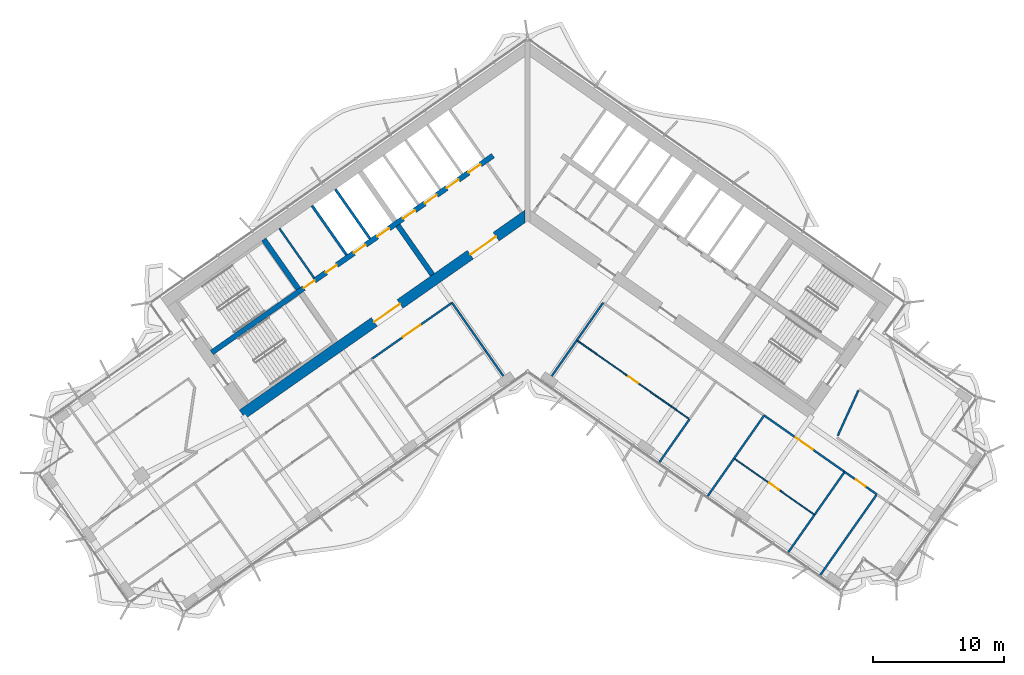
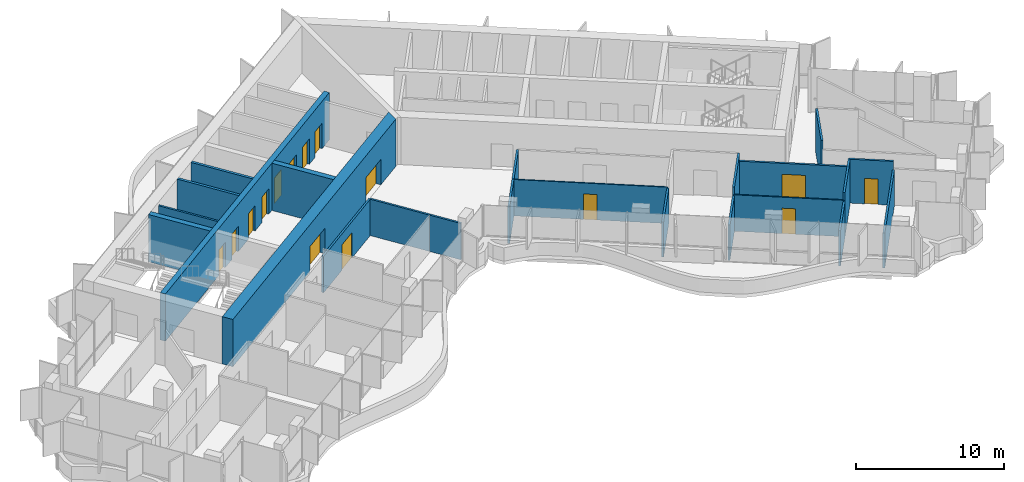
# One storey, part 15 of 23: 23 walls, 15 doors, 15 openings.
"""IFC4 building model written with IfcOpenShell, lengths in metres."""

from ifc_helpers import new_model, si_unit, direction, frame, frame_2d, origin, place, context, subcontext, project, spatial, polyline, rectangle, outline, extrude, material, layer, layer_set, type_object, element, fill, save


model = new_model("IFC4")

# Units and contexts
model_context = context("Model", 3, precision=1e-05, world=origin(), true_north=direction((0.0, 1.0)))
body_context = subcontext(model_context, "Body", "Model", "MODEL_VIEW")
ifc_project = project(units=[si_unit("LENGTHUNIT", "METRE"), si_unit("AREAUNIT", "SQUARE_METRE"), si_unit("VOLUMEUNIT", "CUBIC_METRE"), si_unit("PLANEANGLEUNIT", "RADIAN"), si_unit("MASSUNIT", "GRAM", prefix="KILO")], contexts=[model_context])

# Site, building, storey
site_placement = place(None, origin())
site = spatial("IfcSite", under=ifc_project, at=site_placement, CompositionType="ELEMENT")
building_placement = place(site_placement, origin())
building = spatial("IfcBuilding", under=site, at=building_placement, Name="Tel Ilan Convention Tower", CompositionType="ELEMENT")
storey_placement = place(building_placement, frame((0.0, 0.0, 194.39990234375)))
storey = spatial("IfcBuildingStorey", under=building, at=storey_placement, Name="L45", CompositionType="ELEMENT", Elevation=194.39990234375)

# Walls
ifc_material_1 = material(Name="Gypsum Plasterboard on Steel Stud", Category="steel")
ifc_layer_1 = layer(ifc_material_1, 0.14990234375)
ifc_layer_set_1 = layer_set([ifc_layer_1], Name="Core Room Partition Wall 150 mm EI 60")
wall_type_1 = type_object("IfcWallType", Name="Core Room Partition Wall 150 mm EI 60", PredefinedType="PARTITIONING", material=ifc_layer_set_1)
wall_1_placement = place(storey_placement, frame((-16.302001953125, -5.554931640625, 0.0), z_axis=(0.0, 0.0, 1.0), x_axis=(-0.573576324356, 0.819152122709, 0.0)))
element("IfcWall", 1, at=wall_1_placement, inside=storey, type_object=wall_type_1, Name="L45 core wall bank-W2-split", PredefinedType="PARTITIONING", context=body_context, shape_type="SweptSolid", body=[
    extrude(rectangle(XDim=4.599853515625, YDim=0.14990234375, at=frame_2d((2.2998046875, 0.0))), origin(), (0.0, 0.0, 1.0), 3.6201171875),
])
ifc_material_2 = material(Name="Concrete C50/60", Category="concrete")
ifc_layer_2 = layer(ifc_material_2, 0.39990234375)
ifc_layer_set_2 = layer_set([ifc_layer_2], Name="Core Shear Wall 400 mm C50/60")
wall_type_2 = type_object("IfcWallType", Name="Core Shear Wall 400 mm C50/60", PredefinedType="SHEAR", material=ifc_layer_set_2)
wall_2_placement = place(storey_placement, frame((-7.2578125, -5.325927734375, 0.0), z_axis=(0.0, 0.0, 1.0), x_axis=(-0.573540709186, 0.819177059558, 0.0)))
element("IfcWall", 2, at=wall_2_placement, inside=storey, type_object=wall_type_2, Name="L45 core wall W-cross1-1", PredefinedType="SHEAR", context=body_context, shape_type="SweptSolid", body=[
    extrude(outline(polyline([(4.599853515625, 0.2001953125), (-0.000244140625, 0.199951171875), (-0.000244140625, -0.2001953125), (4.599853515625, -0.199951171875), (4.599853515625, 0.2001953125)])), origin(), (0.0, 0.0, 1.0), 3.900146484375),
])
wall_3_placement = place(storey_placement, frame((-17.497802734375, -6.392333984375, 0.0), z_axis=(0.0, 0.0, 1.0), x_axis=(-0.573611936273, 0.819127185829, 0.0)))
element("IfcWall", 3, at=wall_3_placement, inside=storey, type_object=wall_type_2, Name="L45 core wall W-cross2-2", PredefinedType="SHEAR", context=body_context, shape_type="SweptSolid", body=[
    extrude(outline(polyline([(4.599853515625, -0.2001953125), (4.599853515625, 0.199951171875), (0.0, 0.2001953125), (0.0, -0.199951171875), (4.599853515625, -0.2001953125)])), origin(), (0.0, 0.0, 1.0), 3.900146484375),
])

# Wall, openings, doors
wall_4_placement = place(storey_placement, frame((-2.638427734375, 3.76806640625, 0.0), z_axis=(0.0, 0.0, 1.0), x_axis=(-0.81915267502, -0.573575535572, 0.0)))
wall_4 = element("IfcWall", 4, at=wall_4_placement, inside=storey, type_object=wall_type_2, Name="L45 core wall W-spine", PredefinedType="SHEAR", context=body_context, shape_type="SweptSolid", body=[
    extrude(outline(polyline([(26.199951171875, 0.199951171875), (0.0, 0.199951171875), (0.0, -0.199951171875), (26.199951171875, -0.199951171875), (26.199951171875, 0.199951171875)])), origin(), (0.0, 0.0, 1.0), 3.900146484375),
])
opening_1_placement = place(wall_4_placement, frame((1.168701171875, 0.0, 0.0)))
opening_1 = element("IfcOpeningElement", 5, at=opening_1_placement, cuts=wall_4, Name="Opening LD3504", PredefinedType="OPENING", context=body_context, shape_type="SweptSolid", body=[
    extrude(rectangle(XDim=1.10009765625, YDim=2.10009765625, at=frame_2d((0.550048828125, 1.050048828125))), frame((0.0, 0.2099609375, 0.0), z_axis=(0.0, -1.0, 0.0), x_axis=(1.0, 0.0, 0.0)), (0.0, 0.0, 1.0), 0.419921875),
])
opening_2_placement = place(wall_4_placement, frame((3.206298828125, 0.0, 0.0)))
opening_2 = element("IfcOpeningElement", 6, at=opening_2_placement, cuts=wall_4, Name="Opening LD3505", PredefinedType="OPENING", context=body_context, shape_type="SweptSolid", body=[
    extrude(rectangle(XDim=1.10009765625, YDim=2.10009765625, at=frame_2d((0.550048828125, 1.050048828125))), frame((0.0, 0.2099609375, 0.0), z_axis=(0.0, -1.0, 0.0), x_axis=(1.0, 0.0, 0.0)), (0.0, 0.0, 1.0), 0.419921875),
])
opening_3_placement = place(wall_4_placement, frame((5.24365234375, 0.0, 0.0)))
opening_3 = element("IfcOpeningElement", 7, at=opening_3_placement, cuts=wall_4, Name="Opening LD3506", PredefinedType="OPENING", context=body_context, shape_type="SweptSolid", body=[
    extrude(rectangle(XDim=1.10009765625, YDim=2.10009765625, at=frame_2d((0.550048828125, 1.050048828125))), frame((0.0, 0.2099609375, 0.0), z_axis=(0.0, -1.0, 0.0), x_axis=(1.0, 0.0, 0.0)), (0.0, 0.0, 1.0), 0.419921875),
])
opening_4_placement = place(wall_4_placement, frame((7.28125, 0.0, 0.0)))
opening_4 = element("IfcOpeningElement", 8, at=opening_4_placement, cuts=wall_4, Name="Opening LD3507", PredefinedType="OPENING", context=body_context, shape_type="SweptSolid", body=[
    extrude(rectangle(XDim=1.10009765625, YDim=2.10009765625, at=frame_2d((0.550048828125, 1.050048828125))), frame((0.0, 0.2099609375, 0.0), z_axis=(0.0, -1.0, 0.0), x_axis=(1.0, 0.0, 0.0)), (0.0, 0.0, 1.0), 0.419921875),
])
opening_5_placement = place(wall_4_placement, frame((9.6875, 0.0, 0.0)))
opening_5 = element("IfcOpeningElement", 9, at=opening_5_placement, cuts=wall_4, Name="Opening LD3508", PredefinedType="OPENING", context=body_context, shape_type="SweptSolid", body=[
    extrude(rectangle(XDim=1.10009765625, YDim=2.10009765625, at=frame_2d((0.550048828125, 1.050048828125))), frame((0.0, 0.2099609375, 0.0), z_axis=(0.0, -1.0, 0.0), x_axis=(1.0, 0.0, 0.0)), (0.0, 0.0, 1.0), 0.419921875),
])
opening_6_placement = place(wall_4_placement, frame((11.862548828125, 0.0, 0.0)))
opening_6 = element("IfcOpeningElement", 10, at=opening_6_placement, cuts=wall_4, Name="Opening LD3509", PredefinedType="OPENING", context=body_context, shape_type="SweptSolid", body=[
    extrude(rectangle(XDim=1.10009765625, YDim=2.10009765625, at=frame_2d((0.550048828125, 1.050048828125))), frame((0.0, 0.2099609375, 0.0), z_axis=(0.0, -1.0, 0.0), x_axis=(1.0, 0.0, 0.0)), (0.0, 0.0, 1.0), 0.419921875),
])
opening_7_placement = place(wall_4_placement, frame((14.552490234375, 0.0, 0.0)))
opening_7 = element("IfcOpeningElement", 11, at=opening_7_placement, cuts=wall_4, Name="Opening CD3508", PredefinedType="OPENING", context=body_context, shape_type="SweptSolid", body=[
    extrude(rectangle(XDim=1.0, YDim=2.10009765625, at=frame_2d((0.5, 1.050048828125))), frame((0.0, 0.2099609375, 0.0), z_axis=(0.0, -1.0, 0.0), x_axis=(1.0, 0.0, 0.0)), (0.0, 0.0, 1.0), 0.419921875),
])
opening_8_placement = place(wall_4_placement, frame((16.62744140625, 0.0, 0.0)))
opening_8 = element("IfcOpeningElement", 12, at=opening_8_placement, cuts=wall_4, Name="Opening CD3509", PredefinedType="OPENING", context=body_context, shape_type="SweptSolid", body=[
    extrude(rectangle(XDim=1.0, YDim=2.10009765625, at=frame_2d((0.5, 1.050048828125))), frame((0.0, 0.2099609375, 0.0), z_axis=(0.0, -1.0, 0.0), x_axis=(1.0, 0.0, 0.0)), (0.0, 0.0, 1.0), 0.419921875),
])
ifc_material_3 = material(Name="Stainless Steel Sliding Door Leaf", Category="steel")
door_type_1 = type_object("IfcDoorType", Name="Lift Landing Door 1100 x 2100 FD120", OperationType="NOTDEFINED", PredefinedType="DOOR", material=ifc_material_3)
door_1_placement = place(opening_1_placement, origin())
door_1 = element("IfcDoor", 13, at=door_1_placement, inside=storey, type_object=door_type_1, Name="Lift LR1 landing door", OperationType="SLIDING_TO_LEFT", OverallHeight=2.10009765625, OverallWidth=1.10009765625, PredefinedType="DOOR", context=body_context, shape_type="SweptSolid", body=[
    extrude(rectangle(XDim=1.10009765625, YDim=2.10009765625, at=frame_2d((0.550048828125, 1.050048828125))), frame((0.0, 0.02490234375, 0.0), z_axis=(0.0, -1.0, 0.0), x_axis=(1.0, 0.0, 0.0)), (0.0, 0.0, 1.0), 0.050048828125),
])
fill(opening_1, door_1)
door_2_placement = place(opening_2_placement, origin())
door_2 = element("IfcDoor", 14, at=door_2_placement, inside=storey, type_object=door_type_1, Name="Lift LR2 landing door", OperationType="SLIDING_TO_RIGHT", OverallHeight=2.10009765625, OverallWidth=1.10009765625, PredefinedType="DOOR", context=body_context, shape_type="SweptSolid", body=[
    extrude(rectangle(XDim=1.10009765625, YDim=2.10009765625, at=frame_2d((0.550048828125, 1.050048828125))), frame((0.0, 0.02490234375, 0.0), z_axis=(0.0, -1.0, 0.0), x_axis=(1.0, 0.0, 0.0)), (0.0, 0.0, 1.0), 0.050048828125),
])
fill(opening_2, door_2)
door_3_placement = place(opening_3_placement, origin())
door_3 = element("IfcDoor", 15, at=door_3_placement, inside=storey, type_object=door_type_1, Name="Lift LR3 landing door", OperationType="SLIDING_TO_LEFT", OverallHeight=2.10009765625, OverallWidth=1.10009765625, PredefinedType="DOOR", context=body_context, shape_type="SweptSolid", body=[
    extrude(rectangle(XDim=1.10009765625, YDim=2.10009765625, at=frame_2d((0.550048828125, 1.050048828125))), frame((0.0, 0.02490234375, 0.0), z_axis=(0.0, -1.0, 0.0), x_axis=(1.0, 0.0, 0.0)), (0.0, 0.0, 1.0), 0.050048828125),
])
fill(opening_3, door_3)
door_4_placement = place(opening_4_placement, origin())
door_4 = element("IfcDoor", 16, at=door_4_placement, inside=storey, type_object=door_type_1, Name="Lift LR4 landing door", OperationType="SLIDING_TO_RIGHT", OverallHeight=2.10009765625, OverallWidth=1.10009765625, PredefinedType="DOOR", context=body_context, shape_type="SweptSolid", body=[
    extrude(rectangle(XDim=1.10009765625, YDim=2.10009765625, at=frame_2d((0.550048828125, 1.050048828125))), frame((0.0, 0.02490234375, 0.0), z_axis=(0.0, -1.0, 0.0), x_axis=(1.0, 0.0, 0.0)), (0.0, 0.0, 1.0), 0.050048828125),
])
fill(opening_4, door_4)
door_5_placement = place(opening_5_placement, origin())
door_5 = element("IfcDoor", 17, at=door_5_placement, inside=storey, type_object=door_type_1, Name="Lift LR5 landing door", OperationType="SLIDING_TO_LEFT", OverallHeight=2.10009765625, OverallWidth=1.10009765625, PredefinedType="DOOR", context=body_context, shape_type="SweptSolid", body=[
    extrude(rectangle(XDim=1.10009765625, YDim=2.10009765625, at=frame_2d((0.550048828125, 1.050048828125))), frame((0.0, 0.02490234375, 0.0), z_axis=(0.0, -1.0, 0.0), x_axis=(1.0, 0.0, 0.0)), (0.0, 0.0, 1.0), 0.050048828125),
])
fill(opening_5, door_5)
door_6_placement = place(opening_6_placement, origin())
door_6 = element("IfcDoor", 18, at=door_6_placement, inside=storey, type_object=door_type_1, Name="Lift LR6 landing door", OperationType="SLIDING_TO_RIGHT", OverallHeight=2.10009765625, OverallWidth=1.10009765625, PredefinedType="DOOR", context=body_context, shape_type="SweptSolid", body=[
    extrude(rectangle(XDim=1.10009765625, YDim=2.10009765625, at=frame_2d((0.550048828125, 1.050048828125))), frame((0.0, 0.02490234375, 0.0), z_axis=(0.0, -1.0, 0.0), x_axis=(1.0, 0.0, 0.0)), (0.0, 0.0, 1.0), 0.050048828125),
])
fill(opening_6, door_6)
ifc_material_4 = material(Name="Galvanised Steel Door Leaf", Category="steel")
door_type_2 = type_object("IfcDoorType", Name="Service Room Door 1000 x 2100 FD60", OperationType="NOTDEFINED", PredefinedType="DOOR", material=ifc_material_4)
door_7_placement = place(opening_7_placement, origin())
door_7 = element("IfcDoor", 19, at=door_7_placement, inside=storey, type_object=door_type_2, Name="Plant Room door", OperationType="SINGLE_SWING_RIGHT", OverallHeight=2.10009765625, OverallWidth=1.0, PredefinedType="DOOR", context=body_context, shape_type="SweptSolid", body=[
    extrude(rectangle(XDim=1.0, YDim=2.10009765625, at=frame_2d((0.5, 1.050048828125))), frame((0.0, 0.02490234375, 0.0), z_axis=(0.0, -1.0, 0.0), x_axis=(1.0, 0.0, 0.0)), (0.0, 0.0, 1.0), 0.050048828125),
])
fill(opening_7, door_7)
door_8_placement = place(opening_8_placement, origin())
door_8 = element("IfcDoor", 20, at=door_8_placement, inside=storey, type_object=door_type_2, Name="Plant Room door", OperationType="SINGLE_SWING_RIGHT", OverallHeight=2.10009765625, OverallWidth=1.0, PredefinedType="DOOR", context=body_context, shape_type="SweptSolid", body=[
    extrude(rectangle(XDim=1.0, YDim=2.10009765625, at=frame_2d((0.5, 1.050048828125))), frame((0.0, 0.02490234375, 0.0), z_axis=(0.0, -1.0, 0.0), x_axis=(1.0, 0.0, 0.0)), (0.0, 0.0, 1.0), 0.050048828125),
])
fill(opening_8, door_8)

ifc_material_5 = material(Name="Concrete C50/60", Category="concrete")
ifc_layer_3 = layer(ifc_material_5, 0.800048828125)
ifc_layer_set_3 = layer_set([ifc_layer_3], Name="Core Shear Wall 800 mm C50/60")
wall_type_3 = type_object("IfcWallType", Name="Core Shear Wall 800 mm C50/60", PredefinedType="SHEAR", material=ifc_layer_set_3)
wall_5_placement = place(storey_placement, frame((0.029296875, -0.7119140625, 0.0), z_axis=(0.0, 0.0, 1.0), x_axis=(-0.819151758019, -0.573576845187, 0.0)))
wall_5 = element("IfcWall", 21, at=wall_5_placement, inside=storey, type_object=wall_type_3, Name="L45 core wall W-front", PredefinedType="SHEAR", context=body_context, shape_type="SweptSolid", body=[
    extrude(outline(polyline([(26.61572265625, 0.39990234375), (0.56005859375, 0.39990234375), (-0.000244140625, -0.39990234375), (26.61572265625, -0.39990234375), (26.61572265625, 0.39990234375)])), origin(), (0.0, 0.0, 1.0), 3.900146484375),
])
opening_9_placement = place(wall_5_placement, frame((2.9658203125, 0.0, 0.0)))
opening_9 = element("IfcOpeningElement", 22, at=opening_9_placement, cuts=wall_5, Name="Opening CD3505", PredefinedType="OPENING", context=body_context, shape_type="SweptSolid", body=[
    extrude(rectangle(XDim=2.39990234375, YDim=2.10009765625, at=frame_2d((1.199951171875, 1.050048828125))), frame((0.0, 0.409912109375, 0.0), z_axis=(0.0, -1.0, 0.0), x_axis=(1.0, 0.0, 0.0)), (0.0, 0.0, 1.0), 0.820068359375),
])
opening_10_placement = place(wall_5_placement, frame((11.915771484375, 0.0, 0.0)))
opening_10 = element("IfcOpeningElement", 23, at=opening_10_placement, cuts=wall_5, Name="Opening CD3506", PredefinedType="OPENING", context=body_context, shape_type="SweptSolid", body=[
    extrude(rectangle(XDim=2.39990234375, YDim=2.10009765625, at=frame_2d((1.199951171875, 1.050048828125))), frame((0.0, 0.409912109375, 0.0), z_axis=(0.0, -1.0, 0.0), x_axis=(1.0, 0.0, 0.0)), (0.0, 0.0, 1.0), 0.820068359375),
])
ifc_material_6 = material(Name="Glazed Aluminium Door Leaf", Category="aluminium")
door_type_3 = type_object("IfcDoorType", Name="Lobby Opening Door 2400 x 2100 FD60S", OperationType="NOTDEFINED", PredefinedType="DOOR", material=ifc_material_6)
door_9_placement = place(opening_9_placement, origin())
door_9 = element("IfcDoor", 24, at=door_9_placement, inside=storey, type_object=door_type_3, Name="Lift Lobby LR1-LR4 opening", OperationType="DOUBLE_DOOR_SINGLE_SWING", OverallHeight=2.10009765625, OverallWidth=2.39990234375, PredefinedType="DOOR", context=body_context, shape_type="SweptSolid", body=[
    extrude(rectangle(XDim=2.39990234375, YDim=2.10009765625, at=frame_2d((1.199951171875, 1.050048828125))), frame((0.0, 0.02490234375, 0.0), z_axis=(0.0, -1.0, 0.0), x_axis=(1.0, 0.0, 0.0)), (0.0, 0.0, 1.0), 0.050048828125),
])
fill(opening_9, door_9)
door_10_placement = place(opening_10_placement, origin())
door_10 = element("IfcDoor", 25, at=door_10_placement, inside=storey, type_object=door_type_3, Name="Lift Lobby LR5-LR6 opening", OperationType="DOUBLE_DOOR_SINGLE_SWING", OverallHeight=2.10009765625, OverallWidth=2.39990234375, PredefinedType="DOOR", context=body_context, shape_type="SweptSolid", body=[
    extrude(rectangle(XDim=2.39990234375, YDim=2.10009765625, at=frame_2d((1.199951171875, 1.050048828125))), frame((0.0, 0.02490234375, 0.0), z_axis=(0.0, -1.0, 0.0), x_axis=(1.0, 0.0, 0.0)), (0.0, 0.0, 1.0), 0.050048828125),
])
fill(opening_10, door_10)

# Wall, opening, door
ifc_material_7 = material(Name="Plasterboard on Steel Studs", Category="steel")
ifc_layer_4 = layer(ifc_material_7, 0.14990234375)
ifc_layer_set_4 = layer_set([ifc_layer_4], Name="Fire-rated Partition 150 EI 60")
wall_type_4 = type_object("IfcWallType", Name="Fire-rated Partition 150 EI 60", PredefinedType="PARTITIONING", material=ifc_layer_set_4)
wall_6_placement = place(storey_placement, frame((24.198974609375, -20.3623046875, 0.0), z_axis=(0.0, 0.0, 1.0), x_axis=(-0.819164661457, 0.573558416746, 0.0)))
wall_6 = element("IfcWall", 26, at=wall_6_placement, inside=storey, type_object=wall_type_4, Name="Partition 004", PredefinedType="PARTITIONING", context=body_context, shape_type="SweptSolid", body=[
    extrude(rectangle(XDim=7.50390625, YDim=0.14990234375, at=frame_2d((3.751953125, 0.0))), origin(), (0.0, 0.0, 1.0), 3.0),
])
opening_11_placement = place(wall_6_placement, frame((2.951904296875, 0.0, 0.0)))
opening_11 = element("IfcOpeningElement", 27, at=opening_11_placement, cuts=wall_6, Name="Opening L45-016", PredefinedType="OPENING", context=body_context, shape_type="SweptSolid", body=[
    extrude(rectangle(XDim=1.60009765625, YDim=2.10009765625, at=frame_2d((0.800048828125, 1.050048828125))), frame((0.0, 0.0849609375, 0.0), z_axis=(0.0, -1.0, 0.0), x_axis=(1.0, 0.0, 0.0)), (0.0, 0.0, 1.0), 0.169921875),
])
ifc_material_8 = material(Name="Timber Door Leaf in Steel Frame", Category="steel")
door_type_4 = type_object("IfcDoorType", Name="Tenant Suite Entrance Fire Door 1600x2100", OperationType="NOTDEFINED", PredefinedType="DOOR", material=ifc_material_8)
door_11_placement = place(opening_11_placement, origin())
door_11 = element("IfcDoor", 28, at=door_11_placement, inside=storey, type_object=door_type_4, Name="Door L45-016", OperationType="DOUBLE_DOOR_SINGLE_SWING", OverallHeight=2.10009765625, OverallWidth=1.60009765625, PredefinedType="DOOR", context=body_context, shape_type="SweptSolid", body=[
    extrude(rectangle(XDim=1.60009765625, YDim=2.10009765625, at=frame_2d((0.800048828125, 1.050048828125))), frame((0.0, 0.02490234375, 0.0), z_axis=(0.0, -1.0, 0.0), x_axis=(1.0, 0.0, 0.0)), (0.0, 0.0, 1.0), 0.050048828125),
])
fill(opening_11, door_11)

wall_7_placement = place(storey_placement, frame((26.656494140625, -22.083251953125, 0.0), z_axis=(0.0, 0.0, 1.0), x_axis=(-0.819155556475, 0.573571420397, 0.0)))
wall_7 = element("IfcWall", 29, at=wall_7_placement, inside=storey, type_object=wall_type_4, Name="Partition 005", PredefinedType="PARTITIONING", context=body_context, shape_type="SweptSolid", body=[
    extrude(rectangle(XDim=3.004150390625, YDim=0.14990234375, at=frame_2d((1.501953125, 0.0))), origin(), (0.0, 0.0, 1.0), 3.6201171875),
])
opening_12_placement = place(wall_7_placement, frame((1.052001953125, 0.0, 0.0)))
opening_12 = element("IfcOpeningElement", 30, at=opening_12_placement, cuts=wall_7, Name="Opening L45-018", PredefinedType="OPENING", context=body_context, shape_type="SweptSolid", body=[
    extrude(rectangle(XDim=0.89990234375, YDim=2.10009765625, at=frame_2d((0.449951171875, 1.050048828125))), frame((0.0, 0.0849609375, 0.0), z_axis=(0.0, -1.0, 0.0), x_axis=(1.0, 0.0, 0.0)), (0.0, 0.0, 1.0), 0.169921875),
])
ifc_material_9 = material(Name="Timber Door Leaf in Steel Frame", Category="steel")
door_type_5 = type_object("IfcDoorType", Name="Room Fire Door 900x2100", OperationType="NOTDEFINED", PredefinedType="DOOR", material=ifc_material_9)
door_12_placement = place(opening_12_placement, origin())
door_12 = element("IfcDoor", 31, at=door_12_placement, inside=storey, type_object=door_type_5, Name="Door L45-018", OperationType="SINGLE_SWING_LEFT", OverallHeight=2.10009765625, OverallWidth=0.89990234375, PredefinedType="DOOR", context=body_context, shape_type="SweptSolid", body=[
    extrude(rectangle(XDim=0.89990234375, YDim=2.10009765625, at=frame_2d((0.449951171875, 1.050048828125))), frame((0.0, 0.02490234375, 0.0), z_axis=(0.0, -1.0, 0.0), x_axis=(1.0, 0.0, 0.0)), (0.0, 0.0, 1.0), 0.050048828125),
])
fill(opening_12, door_12)

wall_8_placement = place(storey_placement, frame((-5.766357421875, -7.455810546875, 0.0), z_axis=(0.0, 0.0, 1.0), x_axis=(-0.819150881364, -0.573578097177, 0.0)))
wall_8 = element("IfcWall", 32, at=wall_8_placement, inside=storey, type_object=wall_type_4, Name="Partition 009", PredefinedType="PARTITIONING", context=body_context, shape_type="SweptSolid", body=[
    extrude(rectangle(XDim=7.501953125, YDim=0.14990234375, at=frame_2d((3.7509765625, 0.0))), origin(), (0.0, 0.0, 1.0), 3.0),
])
opening_13_placement = place(wall_8_placement, frame((2.950927734375, 0.0, 0.0)))
opening_13 = element("IfcOpeningElement", 33, at=opening_13_placement, cuts=wall_8, Name="Opening L45-001", PredefinedType="OPENING", context=body_context, shape_type="SweptSolid", body=[
    extrude(rectangle(XDim=1.60009765625, YDim=2.10009765625, at=frame_2d((0.800048828125, 1.050048828125))), frame((0.0, 0.0849609375, 0.0), z_axis=(0.0, -1.0, 0.0), x_axis=(1.0, 0.0, 0.0)), (0.0, 0.0, 1.0), 0.169921875),
])
door_13_placement = place(opening_13_placement, origin())
door_13 = element("IfcDoor", 34, at=door_13_placement, inside=storey, type_object=door_type_4, Name="Door L45-001", OperationType="DOUBLE_DOOR_SINGLE_SWING", OverallHeight=2.10009765625, OverallWidth=1.60009765625, PredefinedType="DOOR", context=body_context, shape_type="SweptSolid", body=[
    extrude(rectangle(XDim=1.60009765625, YDim=2.10009765625, at=frame_2d((0.800048828125, 1.050048828125))), frame((0.0, 0.02490234375, 0.0), z_axis=(0.0, -1.0, 0.0), x_axis=(1.0, 0.0, 0.0)), (0.0, 0.0, 1.0), 0.050048828125),
])
fill(opening_13, door_13)

# Walls
wall_9_placement = place(storey_placement, frame((23.6748046875, -17.6005859375, 0.0), z_axis=(0.0, 0.0, 1.0), x_axis=(0.414941649999, 0.909848024176, 0.0)))
element("IfcWall", 35, at=wall_9_placement, inside=storey, type_object=wall_type_4, Name="Partition 019", PredefinedType="PARTITIONING", context=body_context, shape_type="SweptSolid", body=[
    extrude(rectangle(XDim=3.794921875, YDim=0.14990234375, at=frame_2d((1.8974609375, 0.0))), origin(), (0.0, 0.0, 1.0), 3.6201171875),
])
wall_10_placement = place(storey_placement, frame((12.359375, -16.34619140625, 0.0), z_axis=(0.0, 0.0, 1.0), x_axis=(-0.573560675104, -0.819163080207, 0.0)))
element("IfcWall", 36, at=wall_10_placement, inside=storey, type_object=wall_type_4, Name="Partition 021", PredefinedType="PARTITIONING", context=body_context, shape_type="SweptSolid", body=[
    extrude(rectangle(XDim=3.9990234375, YDim=0.14990234375, at=frame_2d((1.99951171875, 0.0))), origin(), (0.0, 0.0, 1.0), 2.900146484375),
])
wall_11_placement = place(storey_placement, frame((1.848876953125, -13.050537109375, 0.0), z_axis=(0.0, 0.0, 1.0), x_axis=(0.573595235521, 0.819138880647, 0.0)))
element("IfcWall", 37, at=wall_11_placement, inside=storey, type_object=wall_type_4, Name="Partition 022", PredefinedType="PARTITIONING", context=body_context, shape_type="SweptSolid", body=[
    extrude(rectangle(XDim=3.328857421875, YDim=0.14990234375, at=frame_2d((1.66455078125, 0.0))), origin(), (0.0, 0.0, 1.0), 3.0),
])
wall_12_placement = place(storey_placement, frame((3.7587890625, -10.32275390625, 0.0), z_axis=(0.0, 0.0, 1.0), x_axis=(0.573598101901, 0.81913687348, 0.0)))
element("IfcWall", 38, at=wall_12_placement, inside=storey, type_object=wall_type_4, Name="Partition 024", PredefinedType="PARTITIONING", context=body_context, shape_type="SweptSolid", body=[
    extrude(rectangle(XDim=3.5, YDim=0.14990234375, at=frame_2d((1.75, 0.0))), origin(), (0.0, 0.0, 1.0), 3.0),
])
wall_13_placement = place(storey_placement, frame((15.760009765625, -19.335205078125, 0.0), z_axis=(0.0, 0.0, 1.0), x_axis=(-0.573607413343, -0.819130353093, 0.0)))
element("IfcWall", 39, at=wall_13_placement, inside=storey, type_object=wall_type_4, Name="Partition 025", PredefinedType="PARTITIONING", context=body_context, shape_type="SweptSolid", body=[
    extrude(rectangle(XDim=3.501220703125, YDim=0.14990234375, at=frame_2d((1.75048828125, 0.0))), origin(), (0.0, 0.0, 1.0), 2.900146484375),
])
wall_14_placement = place(storey_placement, frame((18.0537109375, -16.0595703125, 0.0), z_axis=(0.0, 0.0, 1.0), x_axis=(-0.573589265117, -0.819143061341, 0.0)))
element("IfcWall", 40, at=wall_14_placement, inside=storey, type_object=wall_type_4, Name="Partition 026", PredefinedType="PARTITIONING", context=body_context, shape_type="SweptSolid", body=[
    extrude(rectangle(XDim=4.001953125, YDim=0.14990234375, at=frame_2d((2.0009765625, 0.0))), origin(), (0.0, 0.0, 1.0), 3.6201171875),
])
wall_15_placement = place(storey_placement, frame((21.90234375, -23.638671875, 0.0), z_axis=(0.0, 0.0, 1.0), x_axis=(-0.573555999232, -0.819166354134, 0.0)))
element("IfcWall", 41, at=wall_15_placement, inside=storey, type_object=wall_type_4, Name="Partition 028", PredefinedType="PARTITIONING", context=body_context, shape_type="SweptSolid", body=[
    extrude(rectangle(XDim=3.4990234375, YDim=0.14990234375, at=frame_2d((1.74951171875, 0.0))), origin(), (0.0, 0.0, 1.0), 2.900146484375),
])
wall_16_placement = place(storey_placement, frame((24.197265625, -20.361328125, 0.0), z_axis=(0.0, 0.0, 1.0), x_axis=(-0.573556557423, -0.819165963305, 0.0)))
element("IfcWall", 42, at=wall_16_placement, inside=storey, type_object=wall_type_4, Name="Partition 029", PredefinedType="PARTITIONING", context=body_context, shape_type="SweptSolid", body=[
    extrude(rectangle(XDim=4.0, YDim=0.14990234375, at=frame_2d((2.0, 0.0))), origin(), (0.0, 0.0, 1.0), 3.6201171875),
])
wall_17_placement = place(storey_placement, frame((26.65478515625, -22.08203125, 0.0), z_axis=(0.0, 0.0, 1.0), x_axis=(-0.573597787563, -0.819137093595, 0.0)))
element("IfcWall", 43, at=wall_17_placement, inside=storey, type_object=wall_type_4, Name="Partition 030", PredefinedType="PARTITIONING", context=body_context, shape_type="SweptSolid", body=[
    extrude(rectangle(XDim=7.5, YDim=0.14990234375, at=frame_2d((3.75, 0.0))), origin(), (0.0, 0.0, 1.0), 2.900146484375),
])
wall_18_placement = place(storey_placement, frame((-1.848876953125, -13.050537109375, 0.0), z_axis=(0.0, 0.0, 1.0), x_axis=(-0.573553724287, 0.819167946978, 0.0)))
element("IfcWall", 44, at=wall_18_placement, inside=storey, type_object=wall_type_4, Name="Partition 032", PredefinedType="PARTITIONING", context=body_context, shape_type="SweptSolid", body=[
    extrude(rectangle(XDim=2.330810546875, YDim=0.14990234375, at=frame_2d((1.16552734375, 0.0))), origin(), (0.0, 0.0, 1.0), 3.0),
])
wall_19_placement = place(storey_placement, frame((-3.18408203125, -11.1435546875, 0.0), z_axis=(0.0, 0.0, 1.0), x_axis=(-0.573593301221, 0.819140235121, 0.0)))
element("IfcWall", 45, at=wall_19_placement, inside=storey, type_object=wall_type_4, Name="Partition 033", PredefinedType="PARTITIONING", context=body_context, shape_type="SweptSolid", body=[
    extrude(rectangle(XDim=4.504150390625, YDim=0.14990234375, at=frame_2d((2.251953125, 0.0))), origin(), (0.0, 0.0, 1.0), 3.0),
])
ifc_material_10 = material(Name="Concrete C30/37", Category="concrete")
ifc_layer_5 = layer(ifc_material_10, 0.199951171875)
ifc_layer_set_5 = layer_set([ifc_layer_5], Name="Lift Shaft Wall 200 mm C30/37")
wall_type_5 = type_object("IfcWallType", Name="Lift Shaft Wall 200 mm C30/37", PredefinedType="SOLIDWALL", material=ifc_layer_set_5)
for number, where, z_axis, x_axis, name in (
    (46, (-12.030029296875, -2.563720703125, 0.0), (0.0, 0.0, 1.0), (-0.573576324356, 0.819152122709, 0.0), "L45 core wall bank-W2-p0"),
    (47, (-13.811767578125, -3.811279296875, 0.0), (0.0, 0.0, 1.0), (-0.573576324356, 0.819152122709, 0.0), "L45 core wall bank-W2-p1"),
):
    element("IfcWall", number, at=place(storey_placement, frame(where, z_axis=z_axis, x_axis=x_axis)), inside=storey, type_object=wall_type_5, Name=name, PredefinedType="SOLIDWALL", context=body_context, shape_type="SweptSolid", body=[
        extrude(rectangle(XDim=4.599853515625, YDim=0.199951171875, at=frame_2d((2.2998046875, 0.0))), origin(), (0.0, 0.0, 1.0), 3.900146484375),
    ])

# Wall, opening, door
ifc_material_11 = material(Name="Plasterboard on Steel Studs", Category="steel")
ifc_layer_6 = layer(ifc_material_11, 0.10009765625)
ifc_layer_set_6 = layer_set([ifc_layer_6], Name="Plasterboard Partition 100")
wall_type_6 = type_object("IfcWallType", Name="Plasterboard Partition 100", PredefinedType="PARTITIONING", material=ifc_layer_set_6)
wall_20_placement = place(storey_placement, frame((12.359375, -16.34619140625, 0.0), z_axis=(0.0, 0.0, 1.0), x_axis=(-0.819155448096, 0.573571575181, 0.0)))
wall_20 = element("IfcWall", 48, at=wall_20_placement, inside=storey, type_object=wall_type_6, Name="Partition 020", PredefinedType="PARTITIONING", context=body_context, shape_type="SweptSolid", body=[
    extrude(rectangle(XDim=10.5, YDim=0.10009765625, at=frame_2d((5.25, 0.0))), origin(), (0.0, 0.0, 1.0), 3.0),
])
opening_14_placement = place(wall_20_placement, frame((4.800048828125, 0.0, 0.0)))
opening_14 = element("IfcOpeningElement", 49, at=opening_14_placement, cuts=wall_20, Name="Opening L45-014", PredefinedType="OPENING", context=body_context, shape_type="SweptSolid", body=[
    extrude(rectangle(XDim=0.89990234375, YDim=2.10009765625, at=frame_2d((0.449951171875, 1.050048828125))), frame((0.0, 0.06005859375, 0.0), z_axis=(0.0, -1.0, 0.0), x_axis=(1.0, 0.0, 0.0)), (0.0, 0.0, 1.0), 0.1201171875),
])
ifc_material_12 = material(Name="Timber Door Leaf in Steel Frame", Category="steel")
door_type_6 = type_object("IfcDoorType", Name="Room Timber Door 900x2100", OperationType="NOTDEFINED", PredefinedType="DOOR", material=ifc_material_12)
door_14_placement = place(opening_14_placement, origin())
door_14 = element("IfcDoor", 50, at=door_14_placement, inside=storey, type_object=door_type_6, Name="Door L45-014", OperationType="SINGLE_SWING_LEFT", OverallHeight=2.10009765625, OverallWidth=0.89990234375, PredefinedType="DOOR", context=body_context, shape_type="SweptSolid", body=[
    extrude(rectangle(XDim=0.89990234375, YDim=2.10009765625, at=frame_2d((0.449951171875, 1.050048828125))), frame((0.0, 0.02490234375, 0.0), z_axis=(0.0, -1.0, 0.0), x_axis=(1.0, 0.0, 0.0)), (0.0, 0.0, 1.0), 0.050048828125),
])
fill(opening_14, door_14)

wall_21_placement = place(storey_placement, frame((21.90234375, -23.638671875, 0.0), z_axis=(0.0, 0.0, 1.0), x_axis=(-0.81915238829, 0.573575945067, 0.0)))
wall_21 = element("IfcWall", 51, at=wall_21_placement, inside=storey, type_object=wall_type_6, Name="Partition 027", PredefinedType="PARTITIONING", context=body_context, shape_type="SweptSolid", body=[
    extrude(rectangle(XDim=7.5, YDim=0.10009765625, at=frame_2d((3.75, 0.0))), origin(), (0.0, 0.0, 1.0), 3.0),
])
opening_15_placement = place(wall_21_placement, frame((3.300048828125, 0.0, 0.0)))
opening_15 = element("IfcOpeningElement", 52, at=opening_15_placement, cuts=wall_21, Name="Opening L45-017", PredefinedType="OPENING", context=body_context, shape_type="SweptSolid", body=[
    extrude(rectangle(XDim=0.89990234375, YDim=2.10009765625, at=frame_2d((0.449951171875, 1.050048828125))), frame((0.0, 0.06005859375, 0.0), z_axis=(0.0, -1.0, 0.0), x_axis=(1.0, 0.0, 0.0)), (0.0, 0.0, 1.0), 0.1201171875),
])
door_15_placement = place(opening_15_placement, origin())
door_15 = element("IfcDoor", 53, at=door_15_placement, inside=storey, type_object=door_type_6, Name="Door L45-017", OperationType="SINGLE_SWING_RIGHT", OverallHeight=2.10009765625, OverallWidth=0.89990234375, PredefinedType="DOOR", context=body_context, shape_type="SweptSolid", body=[
    extrude(rectangle(XDim=0.89990234375, YDim=2.10009765625, at=frame_2d((0.449951171875, 1.050048828125))), frame((0.0, 0.02490234375, 0.0), z_axis=(0.0, -1.0, 0.0), x_axis=(1.0, 0.0, 0.0)), (0.0, 0.0, 1.0), 0.050048828125),
])
fill(opening_15, door_15)

save(model, "model.ifc")
